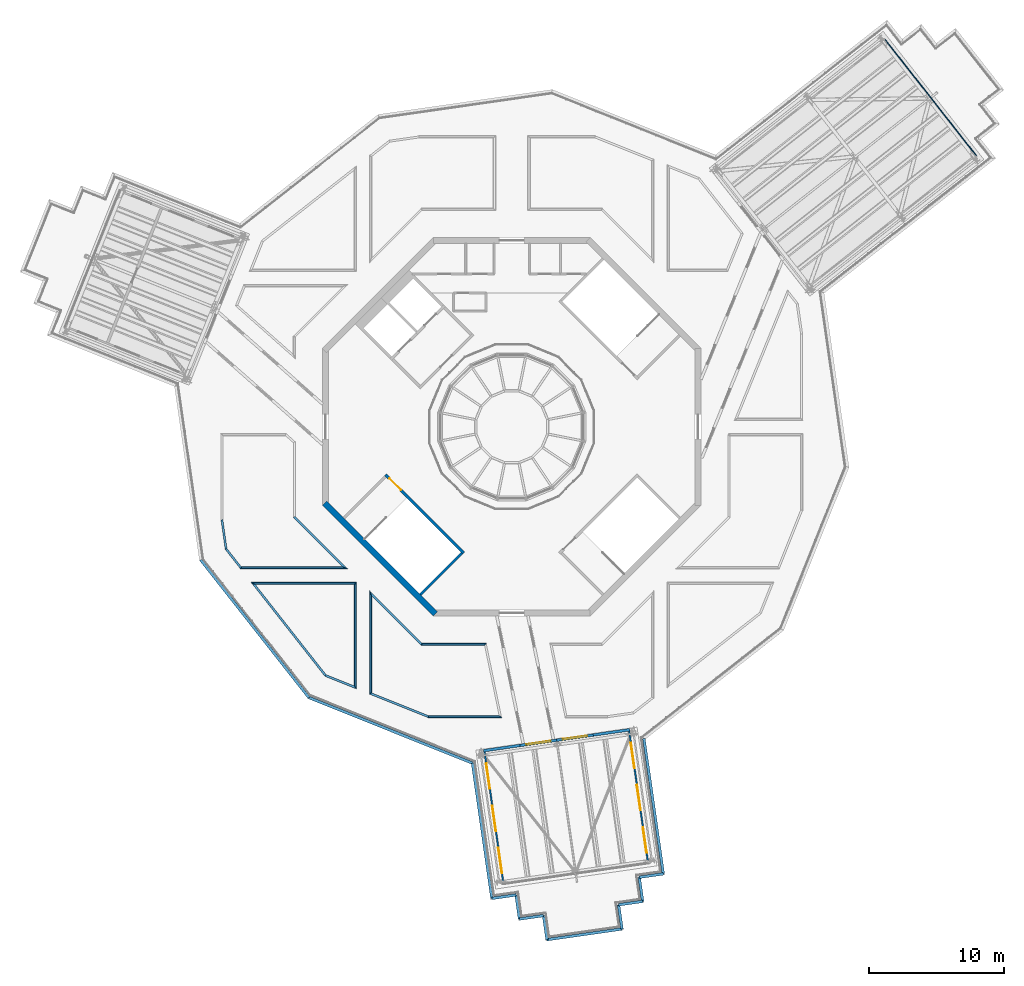
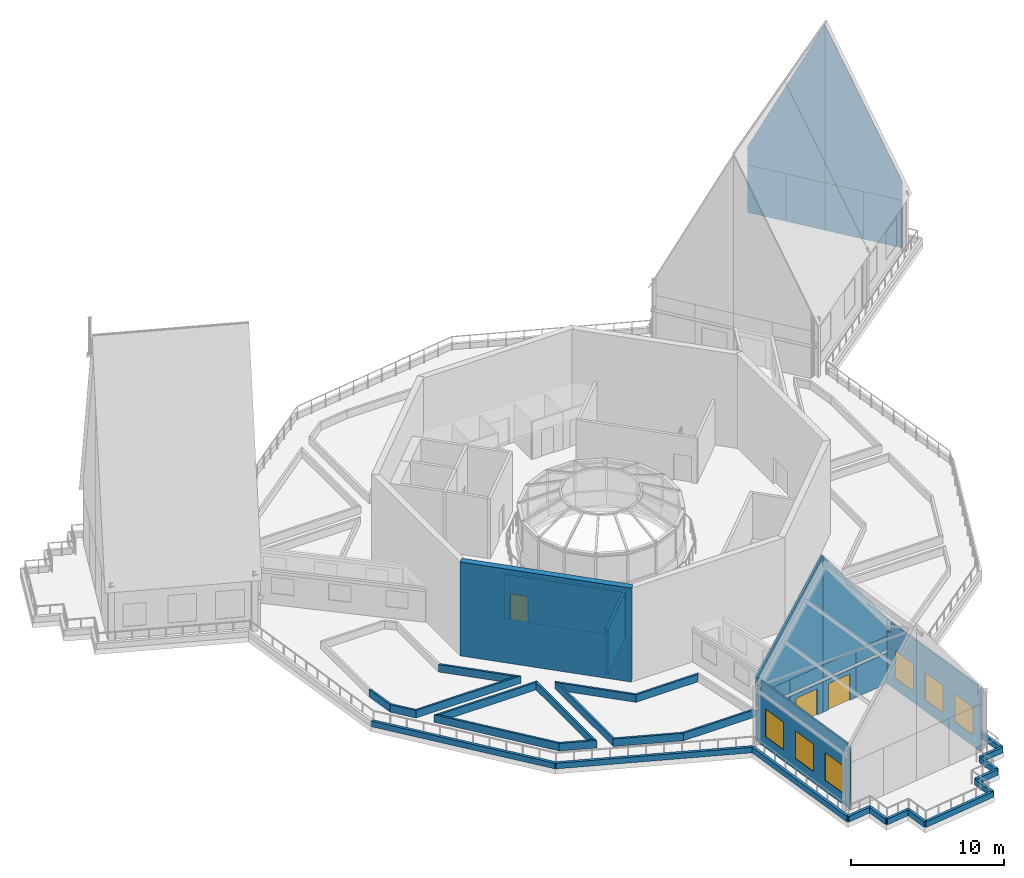
# One storey, part 12 of 32: 41 walls, 6 plates, 6 windows, 3 doors, 9 openings.
"""IFC4 building model written with IfcOpenShell, lengths in metres."""

from ifc_helpers import new_model, si_unit, direction, frame, frame_2d, origin, place, context, subcontext, project, spatial, polyline, rectangle, outline, extrude, material, layer, layer_set, type_object, element, fill, save


model = new_model("IFC4")

# Units and contexts
model_context = context("Model", 3, precision=1e-05, world=origin(), true_north=direction((0.0, 1.0)))
body_context = subcontext(model_context, "Body", "Model", "MODEL_VIEW")
ifc_project = project(units=[si_unit("LENGTHUNIT", "METRE"), si_unit("AREAUNIT", "SQUARE_METRE"), si_unit("VOLUMEUNIT", "CUBIC_METRE"), si_unit("PLANEANGLEUNIT", "RADIAN"), si_unit("MASSUNIT", "GRAM", prefix="KILO")], contexts=[model_context])

# Site, building, storey
site_placement = place(None, origin())
site = spatial("IfcSite", under=ifc_project, at=site_placement, CompositionType="ELEMENT")
building_placement = place(site_placement, origin())
building = spatial("IfcBuilding", under=site, at=building_placement, Name="Verdalira Terraces Hotel", CompositionType="ELEMENT")
storey_placement = place(building_placement, frame((0.0, 0.0, 315.0)))
storey = spatial("IfcBuildingStorey", under=building, at=storey_placement, Name="L78", CompositionType="ELEMENT", Elevation=315.0)

# Plates
ifc_material_1 = material(Name="Bronze-finished insulated panel, ASTM A653 Grade 50 steel skins", Category="steel")
ifc_layer_1 = layer(ifc_material_1, 0.06005859375)
ifc_layer_set_1 = layer_set([ifc_layer_1], Name="Bronze gable end panel 60 mm")
plate_type_1 = type_object("IfcPlateType", Name="Bronze gable end panel 60 mm", PredefinedType="SHEET", material=ifc_layer_set_1)
plate_1_placement = place(storey_placement, frame((34.343018, 20.04248, 0.0), z_axis=(0.0, 0.0, 1.0), x_axis=(-0.6178334, 0.78630903, 0.0)))
element("IfcPlate", 1, at=plate_1_placement, inside=storey, type_object=plate_type_1, Name="Bronze gable end panel G3N1", PredefinedType="SHEET", context=body_context, shape_type="SweptSolid", body=[
    extrude(rectangle(XDim=2.730225, YDim=0.060059, at=frame_2d((1.365234, 0.0))), origin(), (0.0, 0.0, 1.0), 3.800049),
])
for number, where, z_axis, x_axis, name in (
    (2, (32.65625, 22.189209, 0.0), (0.0, 0.0, 1.0), (-0.617876845, 0.786274891, 0.0), "Bronze gable end panel G3N2"),
    (3, (30.969482, 24.335693, 0.0), (0.0, 0.0, 1.0), (-0.617876845, 0.786274891, 0.0), "Bronze gable end panel G3N3"),
):
    element("IfcPlate", number, at=place(storey_placement, frame(where, z_axis=z_axis, x_axis=x_axis)), inside=storey, type_object=plate_type_1, Name=name, PredefinedType="SHEET", context=body_context, shape_type="SweptSolid", body=[
        extrude(rectangle(XDim=2.72998, YDim=0.060059, at=frame_2d((1.36499, 0.0))), origin(), (0.0, 0.0, 1.0), 3.800049),
    ])
plate_2_placement = place(storey_placement, frame((29.282715, 26.482178, 0.0), z_axis=(0.0, 0.0, 1.0), x_axis=(-0.6178334, 0.78630903, 0.0)))
element("IfcPlate", 4, at=plate_2_placement, inside=storey, type_object=plate_type_1, Name="Bronze gable end panel G3N4", PredefinedType="SHEET", context=body_context, shape_type="SweptSolid", body=[
    extrude(rectangle(XDim=2.730225, YDim=0.060059, at=frame_2d((1.365234, 0.0))), origin(), (0.0, 0.0, 1.0), 3.800049),
])
ifc_material_2 = material(Name="Bronze-finished insulated panel, ASTM A653 Grade 50 steel skins", Category="steel")
ifc_layer_2 = layer(ifc_material_2, 0.06005859375)
ifc_layer_set_2 = layer_set([ifc_layer_2], Name="Bronze gable end panel G3 upper course 60 mm")
plate_type_2 = type_object("IfcPlateType", Name="Bronze gable end panel G3 upper course 60 mm", PredefinedType="SHEET", material=ifc_layer_set_2)
for number, where, z_axis, x_axis, name in (
    (5, (34.343018, 20.04248, 3.800049), (0.0, 0.0, 1.0), (-0.617855122, 0.786291961, 0.0), "Bronze gable end panel G3N upper 1"),
    (6, (27.595947, 28.628906, 3.800049), (0.0, 0.0, 1.0), (0.617855122, -0.786291961, 0.0), "Bronze gable end panel G3N upper 2"),
):
    element("IfcPlate", number, at=place(storey_placement, frame(where, z_axis=z_axis, x_axis=x_axis)), inside=storey, type_object=plate_type_2, Name=name, PredefinedType="SHEET", context=body_context, shape_type="SweptSolid", body=[
        extrude(outline(polyline([(0.0, 0.0), (5.459961, 0.0), (5.459961, 12.626953), (0.0, 1.473389), (0.0, 0.0)])), frame((0.0, 0.030029, 0.0), z_axis=(0.0, -1.0, 0.0), x_axis=(1.0, 0.0, 0.0)), (0.0, 0.0, 1.0), 0.060059),
    ])

# Walls
ifc_material_3 = material(Name="Concrete C40", Category="concrete")
ifc_layer_3 = layer(ifc_material_3, 0.199951171875)
ifc_layer_set_3 = layer_set([ifc_layer_3], Name="Bronze clad gable end wall 200 mm")
wall_type_1 = type_object("IfcWallType", Name="Bronze clad gable end wall 200 mm", PredefinedType="SOLIDWALL", material=ifc_layer_set_3)
wall_1_placement = place(storey_placement, frame((-2.082764, -23.943115, 0.0), z_axis=(0.0, 0.0, 1.0), x_axis=(0.989877825, 0.141922135, 0.0)))
element("IfcWall", 7, at=wall_1_placement, inside=storey, type_object=wall_type_1, Name="Bronze clad gable end wall G2S1", PredefinedType="SOLIDWALL", context=body_context, shape_type="SweptSolid", body=[
    extrude(rectangle(XDim=2.72998, YDim=0.199951, at=frame_2d((1.36499, 0.0))), origin(), (0.0, 0.0, 1.0), 2.456055),
])
wall_2_placement = place(storey_placement, frame((-2.082764, -23.943115, 2.709961), z_axis=(0.0, 0.0, 1.0), x_axis=(0.989877825, 0.141922135, 0.0)))
element("IfcWall", 8, at=wall_2_placement, inside=storey, type_object=wall_type_1, Name="Bronze clad gable end wall G2S1 middle course", PredefinedType="SOLIDWALL", context=body_context, shape_type="SweptSolid", body=[
    extrude(rectangle(XDim=2.72998, YDim=0.199951, at=frame_2d((1.36499, 0.0))), origin(), (0.0, 0.0, 1.0), 1.090088),
])

# Wall, opening, door
wall_3_placement = place(storey_placement, frame((0.619629, -23.555664, 0.0), z_axis=(0.0, 0.0, 1.0), x_axis=(0.989877825, 0.141922135, 0.0)))
wall_3 = element("IfcWall", 9, at=wall_3_placement, inside=storey, type_object=wall_type_1, Name="Bronze clad gable end wall G2S2", PredefinedType="SOLIDWALL", context=body_context, shape_type="SweptSolid", body=[
    extrude(rectangle(XDim=2.72998, YDim=0.199951, at=frame_2d((1.36499, 0.0))), origin(), (0.0, 0.0, 1.0), 2.456055),
])
opening_1_placement = place(wall_3_placement, frame((0.465088, 0.0, 0.0)))
opening_1 = element("IfcOpeningElement", 10, at=opening_1_placement, cuts=wall_3, Name="Opening L78-D09", PredefinedType="OPENING", context=body_context, shape_type="SweptSolid", body=[
    extrude(rectangle(XDim=1.800049, YDim=2.100098, at=frame_2d((0.899902, 1.050049))), frame((0.0, 0.109863, 0.0), z_axis=(0.0, -1.0, 0.0), x_axis=(1.0, 0.0, 0.0)), (0.0, 0.0, 1.0), 0.219971),
])
ifc_material_4 = material(Name="Steel and glass door", Category="steel")
door_type_1 = type_object("IfcDoorType", Name="Pavilion door pair 1800 x 2100", OperationType="DOUBLE_DOOR_SINGLE_SWING", PredefinedType="DOOR", material=ifc_material_4)
door_1_placement = place(opening_1_placement, origin())
door_1 = element("IfcDoor", 11, at=door_1_placement, inside=storey, type_object=door_type_1, Name="Garden pavilion door", OperationType="DOUBLE_DOOR_SINGLE_SWING", OverallHeight=2.10009765625, OverallWidth=1.800048828125, PredefinedType="DOOR", context=body_context, shape_type="SweptSolid", body=[
    extrude(rectangle(XDim=1.800049, YDim=2.100098, at=frame_2d((0.899902, 1.050049))), frame((0.0, 0.024902, 0.0), z_axis=(0.0, -1.0, 0.0), x_axis=(1.0, 0.0, 0.0)), (0.0, 0.0, 1.0), 0.050049),
])
fill(opening_1, door_1)

# Wall
wall_4_placement = place(storey_placement, frame((0.619629, -23.555664, 2.709961), z_axis=(0.0, 0.0, 1.0), x_axis=(0.989877825, 0.141922135, 0.0)))
element("IfcWall", 12, at=wall_4_placement, inside=storey, type_object=wall_type_1, Name="Bronze clad gable end wall G2S2 middle course", PredefinedType="SOLIDWALL", context=body_context, shape_type="SweptSolid", body=[
    extrude(rectangle(XDim=2.72998, YDim=0.199951, at=frame_2d((1.36499, 0.0))), origin(), (0.0, 0.0, 1.0), 1.090088),
])

# Wall, opening, door
wall_5_placement = place(storey_placement, frame((3.322021, -23.168213, 0.0), z_axis=(0.0, 0.0, 1.0), x_axis=(0.989865258, 0.14200976, 0.0)))
wall_5 = element("IfcWall", 13, at=wall_5_placement, inside=storey, type_object=wall_type_1, Name="Bronze clad gable end wall G2S3", PredefinedType="SOLIDWALL", context=body_context, shape_type="SweptSolid", body=[
    extrude(rectangle(XDim=2.72998, YDim=0.199951, at=frame_2d((1.36499, 0.0))), origin(), (0.0, 0.0, 1.0), 2.456055),
])
opening_2_placement = place(wall_5_placement, frame((0.465088, 0.0, 0.0)))
opening_2 = element("IfcOpeningElement", 14, at=opening_2_placement, cuts=wall_5, Name="Opening L78-D10", PredefinedType="OPENING", context=body_context, shape_type="SweptSolid", body=[
    extrude(rectangle(XDim=1.800049, YDim=2.100098, at=frame_2d((0.899902, 1.050049))), frame((0.0, 0.109863, 0.0), z_axis=(0.0, -1.0, 0.0), x_axis=(1.0, 0.0, 0.0)), (0.0, 0.0, 1.0), 0.219971),
])
door_2_placement = place(opening_2_placement, origin())
door_2 = element("IfcDoor", 15, at=door_2_placement, inside=storey, type_object=door_type_1, Name="Garden pavilion door", OperationType="DOUBLE_DOOR_SINGLE_SWING", OverallHeight=2.10009765625, OverallWidth=1.800048828125, PredefinedType="DOOR", context=body_context, shape_type="SweptSolid", body=[
    extrude(rectangle(XDim=1.800049, YDim=2.100098, at=frame_2d((0.899902, 1.050049))), frame((0.0, 0.024902, 0.0), z_axis=(0.0, -1.0, 0.0), x_axis=(1.0, 0.0, 0.0)), (0.0, 0.0, 1.0), 0.050049),
])
fill(opening_2, door_2)

# Walls
wall_6_placement = place(storey_placement, frame((3.322021, -23.168213, 2.709961), z_axis=(0.0, 0.0, 1.0), x_axis=(0.989865258, 0.14200976, 0.0)))
element("IfcWall", 16, at=wall_6_placement, inside=storey, type_object=wall_type_1, Name="Bronze clad gable end wall G2S3 middle course", PredefinedType="SOLIDWALL", context=body_context, shape_type="SweptSolid", body=[
    extrude(rectangle(XDim=2.72998, YDim=0.199951, at=frame_2d((1.36499, 0.0))), origin(), (0.0, 0.0, 1.0), 1.090088),
])
wall_7_placement = place(storey_placement, frame((6.024414, -22.780518, 0.0), z_axis=(0.0, 0.0, 1.0), x_axis=(0.989877825, 0.141922135, 0.0)))
element("IfcWall", 17, at=wall_7_placement, inside=storey, type_object=wall_type_1, Name="Bronze clad gable end wall G2S4", PredefinedType="SOLIDWALL", context=body_context, shape_type="SweptSolid", body=[
    extrude(rectangle(XDim=2.72998, YDim=0.199951, at=frame_2d((1.36499, 0.0))), origin(), (0.0, 0.0, 1.0), 2.456055),
])
wall_8_placement = place(storey_placement, frame((6.024414, -22.780518, 2.709961), z_axis=(0.0, 0.0, 1.0), x_axis=(0.989877825, 0.141922135, 0.0)))
element("IfcWall", 18, at=wall_8_placement, inside=storey, type_object=wall_type_1, Name="Bronze clad gable end wall G2S4 middle course", PredefinedType="SOLIDWALL", context=body_context, shape_type="SweptSolid", body=[
    extrude(rectangle(XDim=2.72998, YDim=0.199951, at=frame_2d((1.36499, 0.0))), origin(), (0.0, 0.0, 1.0), 1.090088),
])
ifc_material_5 = material(Name="Concrete C40", Category="concrete")
ifc_layer_4 = layer(ifc_material_5, 0.199951171875)
ifc_layer_set_4 = layer_set([ifc_layer_4], Name="Bronze clad gable end wall G2 upper course 200 mm")
wall_type_2 = type_object("IfcWallType", Name="Bronze clad gable end wall G2 upper course 200 mm", PredefinedType="SOLIDWALL", material=ifc_layer_set_4)
wall_9_placement = place(storey_placement, frame((-2.082764, -23.943115, 3.800049), z_axis=(0.0, 0.0, 1.0), x_axis=(0.989877825, 0.141922135, 0.0)))
element("IfcWall", 19, at=wall_9_placement, inside=storey, type_object=wall_type_2, Name="Bronze clad gable end wall G2S upper 1", PredefinedType="SOLIDWALL", context=body_context, shape_type="SweptSolid", body=[
    extrude(outline(polyline([(0.0, 0.0), (5.459961, 0.0), (5.459961, 8.717529), (0.0, 1.32666), (0.0, 0.0)])), frame((0.0, 0.100098, 0.0), z_axis=(0.0, -1.0, 0.0), x_axis=(1.0, 0.0, 0.0)), (0.0, 0.0, 1.0), 0.199951),
])
wall_10_placement = place(storey_placement, frame((8.726807, -22.393066, 3.800049), z_axis=(0.0, 0.0, 1.0), x_axis=(-0.989871542, -0.141965948, 0.0)))
element("IfcWall", 20, at=wall_10_placement, inside=storey, type_object=wall_type_2, Name="Bronze clad gable end wall G2S upper 2", PredefinedType="SOLIDWALL", context=body_context, shape_type="SweptSolid", body=[
    extrude(outline(polyline([(0.0, 0.0), (5.460205, 0.0), (5.459961, 8.717529), (0.0, 1.32666), (0.0, 0.0)])), frame((0.0, 0.100098, 0.0), z_axis=(0.0, -1.0, 0.0), x_axis=(1.0, 0.0, 0.0)), (0.0, 0.0, 1.0), 0.199951),
])
ifc_material_6 = material(Name="Concrete C50", Category="concrete")
ifc_layer_5 = layer(ifc_material_6, 0.449951171875)
ifc_layer_set_5 = layer_set([ifc_layer_5], Name="Core wall 450 C50")
wall_type_3 = type_object("IfcWallType", Name="Core wall 450 C50", PredefinedType="SHEAR", material=ifc_layer_set_5)
wall_11_placement = place(storey_placement, frame((-13.84082, -5.639893, 0.0), z_axis=(0.0, 0.0, 1.0), x_axis=(0.707106781, -0.707106781, 0.0)))
element("IfcWall", 21, at=wall_11_placement, inside=storey, type_object=wall_type_3, Name="Core wall CW-L78-6", PredefinedType="SHEAR", context=body_context, shape_type="SweptSolid", body=[
    extrude(rectangle(XDim=11.5979, YDim=0.449951, at=frame_2d((5.798828, 0.0))), origin(), (0.0, 0.0, 1.0), 7.5),
])
ifc_material_7 = material(Name="Concrete C40", Category="concrete")
ifc_layer_6 = layer(ifc_material_7, 0.14990234375)
ifc_layer_set_6 = layer_set([ifc_layer_6], Name="Crown planter trough 150 x 600")
wall_type_4 = type_object("IfcWallType", Name="Crown planter trough 150 x 600", PredefinedType="SOLIDWALL", material=ifc_layer_set_6)
wall_12_placement = place(storey_placement, origin())
element("IfcWall", 22, at=wall_12_placement, inside=storey, type_object=wall_type_4, Name="Crown garden planter", PredefinedType="SOLIDWALL", context=body_context, shape_type="SweptSolid", body=[
    extrude(outline(polyline([(-21.5, -6.876221), (-21.186279, -9.062988), (-21.043701, -9.001953), (-21.350098, -6.865479), (-21.5, -6.876221)])), origin(), (0.0, 0.0, 1.0), 0.600098),
])
wall_13_placement = place(storey_placement, origin())
element("IfcWall", 23, at=wall_13_placement, inside=storey, type_object=wall_type_4, Name="Crown garden planter", PredefinedType="SOLIDWALL", context=body_context, shape_type="SweptSolid", body=[
    extrude(outline(polyline([(-21.186279, -9.062988), (-20.057373, -10.5), (-19.984375, -10.350098), (-21.043701, -9.001953), (-21.186279, -9.062988)])), origin(), (0.0, 0.0, 1.0), 0.600098),
])
wall_14_placement = place(storey_placement, origin())
element("IfcWall", 24, at=wall_14_placement, inside=storey, type_object=wall_type_4, Name="Crown garden planter", PredefinedType="SOLIDWALL", context=body_context, shape_type="SweptSolid", body=[
    extrude(outline(polyline([(-20.057373, -10.5), (-12.127441, -10.5), (-12.489502, -10.350098), (-19.984375, -10.350098), (-20.057373, -10.5)])), origin(), (0.0, 0.0, 1.0), 0.600098),
])
wall_15_placement = place(storey_placement, origin())
element("IfcWall", 25, at=wall_15_placement, inside=storey, type_object=wall_type_4, Name="Crown garden planter", PredefinedType="SOLIDWALL", context=body_context, shape_type="SweptSolid", body=[
    extrude(outline(polyline([(-12.127441, -10.5), (-16.0, -6.627441), (-16.149902, -6.689453), (-12.489502, -10.350098), (-12.127441, -10.5)])), origin(), (0.0, 0.0, 1.0), 0.600098),
])
wall_16_placement = place(storey_placement, origin())
element("IfcWall", 26, at=wall_16_placement, inside=storey, type_object=wall_type_4, Name="Crown garden planter", PredefinedType="SOLIDWALL", context=body_context, shape_type="SweptSolid", body=[
    extrude(outline(polyline([(-6.627441, -16.0), (-10.5, -12.127441), (-10.350098, -12.489502), (-6.689453, -16.149902), (-6.627441, -16.0)])), origin(), (0.0, 0.0, 1.0), 0.600098),
])
wall_17_placement = place(storey_placement, origin())
element("IfcWall", 27, at=wall_17_placement, inside=storey, type_object=wall_type_4, Name="Crown garden planter", PredefinedType="SOLIDWALL", context=body_context, shape_type="SweptSolid", body=[
    extrude(outline(polyline([(-10.5, -12.127441), (-10.5, -19.77124), (-10.350098, -19.669678), (-10.350098, -12.489502), (-10.5, -12.127441)])), origin(), (0.0, 0.0, 1.0), 0.600098),
])
wall_18_placement = place(storey_placement, origin())
element("IfcWall", 28, at=wall_18_placement, inside=storey, type_object=wall_type_4, Name="Crown garden planter", PredefinedType="SOLIDWALL", context=body_context, shape_type="SweptSolid", body=[
    extrude(outline(polyline([(-10.5, -19.77124), (-6.186523, -21.5), (-6.157471, -21.350098), (-10.350098, -19.669678), (-10.5, -19.77124)])), origin(), (0.0, 0.0, 1.0), 0.600098),
])
wall_19_placement = place(storey_placement, origin())
element("IfcWall", 29, at=wall_19_placement, inside=storey, type_object=wall_type_4, Name="Crown garden planter", PredefinedType="SOLIDWALL", context=body_context, shape_type="SweptSolid", body=[
    extrude(outline(polyline([(-6.186523, -21.5), (-0.748291, -21.5), (-0.932617, -21.350098), (-6.157471, -21.350098), (-6.186523, -21.5)])), origin(), (0.0, 0.0, 1.0), 0.600098),
])
wall_20_placement = place(storey_placement, origin())
element("IfcWall", 30, at=wall_20_placement, inside=storey, type_object=wall_type_4, Name="Crown garden planter", PredefinedType="SOLIDWALL", context=body_context, shape_type="SweptSolid", body=[
    extrude(outline(polyline([(-1.887939, -16.0), (-6.627441, -16.0), (-6.689453, -16.149902), (-2.01001, -16.149902), (-1.887939, -16.0)])), origin(), (0.0, 0.0, 1.0), 0.600098),
])
wall_21_placement = place(storey_placement, origin())
element("IfcWall", 31, at=wall_21_placement, inside=storey, type_object=wall_type_4, Name="Crown garden planter", PredefinedType="SOLIDWALL", context=body_context, shape_type="SweptSolid", body=[
    extrude(outline(polyline([(-13.816406, -18.441895), (-11.5, -19.370361), (-11.649902, -19.148682), (-13.723389, -18.317627), (-13.816406, -18.441895)])), origin(), (0.0, 0.0, 1.0), 0.600098),
])
wall_22_placement = place(storey_placement, origin())
element("IfcWall", 32, at=wall_22_placement, inside=storey, type_object=wall_type_4, Name="Crown garden planter", PredefinedType="SOLIDWALL", context=body_context, shape_type="SweptSolid", body=[
    extrude(outline(polyline([(-11.5, -19.370361), (-11.5, -11.5), (-11.649902, -11.649902), (-11.649902, -19.148682), (-11.5, -19.370361)])), origin(), (0.0, 0.0, 1.0), 0.600098),
])
wall_23_placement = place(storey_placement, origin())
element("IfcWall", 33, at=wall_23_placement, inside=storey, type_object=wall_type_4, Name="Crown garden planter", PredefinedType="SOLIDWALL", context=body_context, shape_type="SweptSolid", body=[
    extrude(outline(polyline([(-11.5, -11.5), (-19.271484, -11.5), (-18.962891, -11.649902), (-11.649902, -11.649902), (-11.5, -11.5)])), origin(), (0.0, 0.0, 1.0), 0.600098),
])
wall_24_placement = place(storey_placement, origin())
element("IfcWall", 34, at=wall_24_placement, inside=storey, type_object=wall_type_4, Name="Crown garden planter", PredefinedType="SOLIDWALL", context=body_context, shape_type="SweptSolid", body=[
    extrude(outline(polyline([(-19.271484, -11.5), (-13.816406, -18.441895), (-13.723389, -18.317627), (-18.962891, -11.649902), (-19.271484, -11.5)])), origin(), (0.0, 0.0, 1.0), 0.600098),
])
ifc_material_8 = material(Name="Concrete C40", Category="concrete")
ifc_layer_7 = layer(ifc_material_8, 0.199951171875)
ifc_layer_set_7 = layer_set([ifc_layer_7], Name="Crown upstand 200 x 450")
wall_type_5 = type_object("IfcWallType", Name="Crown upstand 200 x 450", PredefinedType="SOLIDWALL", material=ifc_layer_set_7)
wall_25_placement = place(storey_placement, frame((-22.994873, -9.83667, 0.0), z_axis=(0.0, 0.0, 1.0), x_axis=(0.617854865, -0.786292163, 0.0)))
element("IfcWall", 35, at=wall_25_placement, inside=storey, type_object=wall_type_5, Name="Crown upstand", PredefinedType="SOLIDWALL", context=body_context, shape_type="SweptSolid", body=[
    extrude(rectangle(XDim=12.946533, YDim=0.199951, at=frame_2d((6.473145, 0.0))), origin(), (0.0, 0.0, 1.0), 0.449951),
])
wall_26_placement = place(storey_placement, frame((-14.99585, -20.016357, 0.0), z_axis=(0.0, 0.0, 1.0), x_axis=(0.928228401, -0.372010801, 0.0)))
element("IfcWall", 36, at=wall_26_placement, inside=storey, type_object=wall_type_5, Name="Crown upstand", PredefinedType="SOLIDWALL", context=body_context, shape_type="SweptSolid", body=[
    extrude(rectangle(XDim=13.031006, YDim=0.199951, at=frame_2d((6.515625, 0.0))), origin(), (0.0, 0.0, 1.0), 0.449951),
])
wall_27_placement = place(storey_placement, frame((-2.900146, -24.864014, 0.0), z_axis=(0.0, 0.0, 1.0), x_axis=(0.141925608, -0.989877327, 0.0)))
element("IfcWall", 37, at=wall_27_placement, inside=storey, type_object=wall_type_5, Name="Crown upstand", PredefinedType="SOLIDWALL", context=body_context, shape_type="SweptSolid", body=[
    extrude(rectangle(XDim=10.099365, YDim=0.199951, at=frame_2d((5.049805, 0.0))), origin(), (0.0, 0.0, 1.0), 0.449951),
])
for number, where, z_axis, x_axis, name in (
    (38, (-1.466797, -34.861084, 0.0), (0.0, 0.0, 1.0), (0.989884283, 0.141877084, 0.0), "Crown upstand"),
    (39, (0.314941, -34.605713, 0.0), (0.0, 0.0, 1.0), (0.142009988, -0.989865225, 0.0), "Crown upstand"),
    (40, (0.570557, -36.387451, 0.0), (0.0, 0.0, 1.0), (0.989865225, 0.142009988, 0.0), "Crown upstand"),
):
    element("IfcWall", number, at=place(storey_placement, frame(where, z_axis=z_axis, x_axis=x_axis)), inside=storey, type_object=wall_type_5, Name=name, PredefinedType="SOLIDWALL", context=body_context, shape_type="SweptSolid", body=[
        extrude(rectangle(XDim=1.800049, YDim=0.199951, at=frame_2d((0.899902, 0.0))), origin(), (0.0, 0.0, 1.0), 0.449951),
    ])
wall_28_placement = place(storey_placement, frame((2.352295, -36.131836, 0.0), z_axis=(0.0, 0.0, 1.0), x_axis=(0.141990924, -0.98986796, 0.0)))
element("IfcWall", 41, at=wall_28_placement, inside=storey, type_object=wall_type_5, Name="Crown upstand", PredefinedType="SOLIDWALL", context=body_context, shape_type="SweptSolid", body=[
    extrude(rectangle(XDim=1.800293, YDim=0.199951, at=frame_2d((0.900146, 0.0))), origin(), (0.0, 0.0, 1.0), 0.449951),
])
wall_29_placement = place(storey_placement, frame((2.60791, -37.913818, 0.0), z_axis=(0.0, 0.0, 1.0), x_axis=(0.989873492, 0.141952349, 0.0)))
element("IfcWall", 42, at=wall_29_placement, inside=storey, type_object=wall_type_5, Name="Crown upstand", PredefinedType="SOLIDWALL", context=body_context, shape_type="SweptSolid", body=[
    extrude(rectangle(XDim=5.599854, YDim=0.199951, at=frame_2d((2.799805, 0.0))), origin(), (0.0, 0.0, 1.0), 0.449951),
])
wall_30_placement = place(storey_placement, frame((8.151123, -37.118896, 0.0), z_axis=(0.0, 0.0, 1.0), x_axis=(-0.142009988, 0.989865225, 0.0)))
element("IfcWall", 43, at=wall_30_placement, inside=storey, type_object=wall_type_5, Name="Crown upstand", PredefinedType="SOLIDWALL", context=body_context, shape_type="SweptSolid", body=[
    extrude(rectangle(XDim=1.800049, YDim=0.199951, at=frame_2d((0.899902, 0.0))), origin(), (0.0, 0.0, 1.0), 0.449951),
])
wall_31_placement = place(storey_placement, frame((7.895508, -35.337158, 0.0), z_axis=(0.0, 0.0, 1.0), x_axis=(0.98986796, 0.141990924, 0.0)))
element("IfcWall", 44, at=wall_31_placement, inside=storey, type_object=wall_type_5, Name="Crown upstand", PredefinedType="SOLIDWALL", context=body_context, shape_type="SweptSolid", body=[
    extrude(rectangle(XDim=1.800293, YDim=0.199951, at=frame_2d((0.900146, 0.0))), origin(), (0.0, 0.0, 1.0), 0.449951),
])
for number, where, z_axis, x_axis, name in (
    (45, (9.67749, -35.081543, 0.0), (0.0, 0.0, 1.0), (-0.142009988, 0.989865225, 0.0), "Crown upstand"),
    (46, (9.421875, -33.299805, 0.0), (0.0, 0.0, 1.0), (0.989865225, 0.142009988, 0.0), "Crown upstand"),
):
    element("IfcWall", number, at=place(storey_placement, frame(where, z_axis=z_axis, x_axis=x_axis)), inside=storey, type_object=wall_type_5, Name=name, PredefinedType="SOLIDWALL", context=body_context, shape_type="SweptSolid", body=[
        extrude(rectangle(XDim=1.800049, YDim=0.199951, at=frame_2d((0.899902, 0.0))), origin(), (0.0, 0.0, 1.0), 0.449951),
    ])
wall_32_placement = place(storey_placement, frame((11.203613, -33.044189, 0.0), z_axis=(0.0, 0.0, 1.0), x_axis=(-0.141925608, 0.989877327, 0.0)))
element("IfcWall", 47, at=wall_32_placement, inside=storey, type_object=wall_type_5, Name="Crown upstand", PredefinedType="SOLIDWALL", context=body_context, shape_type="SweptSolid", body=[
    extrude(rectangle(XDim=10.099365, YDim=0.199951, at=frame_2d((5.049805, 0.0))), origin(), (0.0, 0.0, 1.0), 0.449951),
])

# Wall, openings, windows
ifc_material_9 = material(Name="Concrete C40", Category="concrete")
ifc_layer_8 = layer(ifc_material_9, 0.1201171875)
ifc_layer_set_8 = layer_set([ifc_layer_8], Name="Pavilion side wall G2 120 mm")
wall_type_6 = type_object("IfcWallType", Name="Pavilion side wall G2 120 mm", PredefinedType="SOLIDWALL", material=ifc_layer_set_8)
wall_33_placement = place(storey_placement, frame((8.681641, -22.500488, 0.0), z_axis=(0.0, 0.0, 1.0), x_axis=(0.141942912, -0.989874846, 0.0)))
wall_33 = element("IfcWall", 48, at=wall_33_placement, inside=storey, type_object=wall_type_6, Name="Garden pavilion side wall G2a", PredefinedType="SOLIDWALL", context=body_context, shape_type="SweptSolid", body=[
    extrude(outline(polyline([(0.0, 0.0), (9.829834, 0.0), (9.835938, 5.126709), (9.834961, 4.229004), (9.82959, 5.126709), (9.555908, 4.229004), (9.554932, 5.126709), (0.375244, 5.126709), (0.374268, 4.229004), (0.095215, 4.229004), (0.093994, 5.126709), (0.0, 5.126709), (0.0, 0.0)])), frame((0.0, 0.060059, 0.0), z_axis=(0.0, -1.0, 0.0), x_axis=(1.0, 0.0, 0.0)), (0.0, 0.0, 1.0), 0.120117),
])
opening_3_placement = place(wall_33_placement, frame((0.86084, 0.0, 0.899902)))
opening_3 = element("IfcOpeningElement", 49, at=opening_3_placement, cuts=wall_33, Name="Opening WGW", PredefinedType="OPENING", context=body_context, shape_type="SweptSolid", body=[
    extrude(rectangle(XDim=1.899902, YDim=2.199951, at=frame_2d((0.949951, 1.100098))), frame((0.0, 0.070068, 0.0), z_axis=(0.0, -1.0, 0.0), x_axis=(1.0, 0.0, 0.0)), (0.0, 0.0, 1.0), 0.140137),
])
opening_4_placement = place(wall_33_placement, frame((4.014404, 0.0, 0.899902)))
opening_4 = element("IfcOpeningElement", 50, at=opening_4_placement, cuts=wall_33, Name="Opening WGW", PredefinedType="OPENING", context=body_context, shape_type="SweptSolid", body=[
    extrude(rectangle(XDim=1.899902, YDim=2.199951, at=frame_2d((0.949951, 1.100098))), frame((0.0, 0.070068, 0.0), z_axis=(0.0, -1.0, 0.0), x_axis=(1.0, 0.0, 0.0)), (0.0, 0.0, 1.0), 0.140137),
])
opening_5_placement = place(wall_33_placement, frame((7.168213, 0.0, 0.899902)))
opening_5 = element("IfcOpeningElement", 51, at=opening_5_placement, cuts=wall_33, Name="Opening WGW", PredefinedType="OPENING", context=body_context, shape_type="SweptSolid", body=[
    extrude(rectangle(XDim=1.899902, YDim=2.199951, at=frame_2d((0.949951, 1.100098))), frame((0.0, 0.070068, 0.0), z_axis=(0.0, -1.0, 0.0), x_axis=(1.0, 0.0, 0.0)), (0.0, 0.0, 1.0), 0.140137),
])
ifc_material_10 = material(Name="Clear laminated glass", Category="glass")
window_type = type_object("IfcWindowType", Name="Pavilion window 1900 x 2200", PartitioningType="DOUBLE_PANEL_HORIZONTAL", PredefinedType="WINDOW", material=ifc_material_10)
window_1_placement = place(opening_3_placement, origin())
window_1 = element("IfcWindow", 52, at=window_1_placement, inside=storey, type_object=window_type, Name="Garden pavilion window", OverallHeight=2.199951171875, OverallWidth=1.89990234375, PartitioningType="DOUBLE_PANEL_HORIZONTAL", PredefinedType="WINDOW", context=body_context, shape_type="SweptSolid", body=[
    extrude(rectangle(XDim=1.899902, YDim=2.199951, at=frame_2d((0.949951, 1.100098))), frame((0.0, 0.030029, 0.0), z_axis=(0.0, -1.0, 0.0), x_axis=(1.0, 0.0, 0.0)), (0.0, 0.0, 1.0), 0.060059),
])
fill(opening_3, window_1)
window_2_placement = place(opening_4_placement, origin())
window_2 = element("IfcWindow", 53, at=window_2_placement, inside=storey, type_object=window_type, Name="Garden pavilion window", OverallHeight=2.199951171875, OverallWidth=1.89990234375, PartitioningType="DOUBLE_PANEL_HORIZONTAL", PredefinedType="WINDOW", context=body_context, shape_type="SweptSolid", body=[
    extrude(rectangle(XDim=1.899902, YDim=2.199951, at=frame_2d((0.949951, 1.100098))), frame((0.0, 0.030029, 0.0), z_axis=(0.0, -1.0, 0.0), x_axis=(1.0, 0.0, 0.0)), (0.0, 0.0, 1.0), 0.060059),
])
fill(opening_4, window_2)
window_3_placement = place(opening_5_placement, origin())
window_3 = element("IfcWindow", 54, at=window_3_placement, inside=storey, type_object=window_type, Name="Garden pavilion window", OverallHeight=2.199951171875, OverallWidth=1.89990234375, PartitioningType="DOUBLE_PANEL_HORIZONTAL", PredefinedType="WINDOW", context=body_context, shape_type="SweptSolid", body=[
    extrude(rectangle(XDim=1.899902, YDim=2.199951, at=frame_2d((0.949951, 1.100098))), frame((0.0, 0.030029, 0.0), z_axis=(0.0, -1.0, 0.0), x_axis=(1.0, 0.0, 0.0)), (0.0, 0.0, 1.0), 0.060059),
])
fill(opening_5, window_3)

wall_34_placement = place(storey_placement, frame((-2.009033, -24.033691, 0.0), z_axis=(0.0, 0.0, 1.0), x_axis=(0.141922064, -0.989877835, 0.0)))
wall_34 = element("IfcWall", 55, at=wall_34_placement, inside=storey, type_object=wall_type_6, Name="Garden pavilion side wall G2b", PredefinedType="SOLIDWALL", context=body_context, shape_type="SweptSolid", body=[
    extrude(outline(polyline([(0.0, 0.0), (9.82959, 0.0), (9.835938, 5.126709), (9.834961, 4.229004), (9.82959, 5.126709), (9.555908, 4.229004), (9.554932, 5.126709), (0.375244, 5.126709), (0.374268, 4.229004), (0.095215, 4.229004), (0.093994, 5.126709), (0.0, 5.126709), (0.0, 0.0)])), frame((0.0, 0.060059, 0.0), z_axis=(0.0, -1.0, 0.0), x_axis=(1.0, 0.0, 0.0)), (0.0, 0.0, 1.0), 0.120117),
])
opening_6_placement = place(wall_34_placement, frame((0.86084, 0.0, 0.899902)))
opening_6 = element("IfcOpeningElement", 56, at=opening_6_placement, cuts=wall_34, Name="Opening WGW", PredefinedType="OPENING", context=body_context, shape_type="SweptSolid", body=[
    extrude(rectangle(XDim=1.899902, YDim=2.199951, at=frame_2d((0.949951, 1.100098))), frame((0.0, 0.070068, 0.0), z_axis=(0.0, -1.0, 0.0), x_axis=(1.0, 0.0, 0.0)), (0.0, 0.0, 1.0), 0.140137),
])
opening_7_placement = place(wall_34_placement, frame((4.014404, 0.0, 0.899902)))
opening_7 = element("IfcOpeningElement", 57, at=opening_7_placement, cuts=wall_34, Name="Opening WGW", PredefinedType="OPENING", context=body_context, shape_type="SweptSolid", body=[
    extrude(rectangle(XDim=1.899902, YDim=2.199951, at=frame_2d((0.949951, 1.100098))), frame((0.0, 0.070068, 0.0), z_axis=(0.0, -1.0, 0.0), x_axis=(1.0, 0.0, 0.0)), (0.0, 0.0, 1.0), 0.140137),
])
opening_8_placement = place(wall_34_placement, frame((7.168213, 0.0, 0.899902)))
opening_8 = element("IfcOpeningElement", 58, at=opening_8_placement, cuts=wall_34, Name="Opening WGW", PredefinedType="OPENING", context=body_context, shape_type="SweptSolid", body=[
    extrude(rectangle(XDim=1.899902, YDim=2.199951, at=frame_2d((0.949951, 1.100098))), frame((0.0, 0.070068, 0.0), z_axis=(0.0, -1.0, 0.0), x_axis=(1.0, 0.0, 0.0)), (0.0, 0.0, 1.0), 0.140137),
])
window_4_placement = place(opening_6_placement, origin())
window_4 = element("IfcWindow", 59, at=window_4_placement, inside=storey, type_object=window_type, Name="Garden pavilion window", OverallHeight=2.199951171875, OverallWidth=1.89990234375, PartitioningType="DOUBLE_PANEL_HORIZONTAL", PredefinedType="WINDOW", context=body_context, shape_type="SweptSolid", body=[
    extrude(rectangle(XDim=1.899902, YDim=2.199951, at=frame_2d((0.949951, 1.100098))), frame((0.0, 0.030029, 0.0), z_axis=(0.0, -1.0, 0.0), x_axis=(1.0, 0.0, 0.0)), (0.0, 0.0, 1.0), 0.060059),
])
fill(opening_6, window_4)
window_5_placement = place(opening_7_placement, origin())
window_5 = element("IfcWindow", 60, at=window_5_placement, inside=storey, type_object=window_type, Name="Garden pavilion window", OverallHeight=2.199951171875, OverallWidth=1.89990234375, PartitioningType="DOUBLE_PANEL_HORIZONTAL", PredefinedType="WINDOW", context=body_context, shape_type="SweptSolid", body=[
    extrude(rectangle(XDim=1.899902, YDim=2.199951, at=frame_2d((0.949951, 1.100098))), frame((0.0, 0.030029, 0.0), z_axis=(0.0, -1.0, 0.0), x_axis=(1.0, 0.0, 0.0)), (0.0, 0.0, 1.0), 0.060059),
])
fill(opening_7, window_5)
window_6_placement = place(opening_8_placement, origin())
window_6 = element("IfcWindow", 61, at=window_6_placement, inside=storey, type_object=window_type, Name="Garden pavilion window", OverallHeight=2.199951171875, OverallWidth=1.89990234375, PartitioningType="DOUBLE_PANEL_HORIZONTAL", PredefinedType="WINDOW", context=body_context, shape_type="SweptSolid", body=[
    extrude(rectangle(XDim=1.899902, YDim=2.199951, at=frame_2d((0.949951, 1.100098))), frame((0.0, 0.030029, 0.0), z_axis=(0.0, -1.0, 0.0), x_axis=(1.0, 0.0, 0.0)), (0.0, 0.0, 1.0), 0.060059),
])
fill(opening_8, window_6)

# Wall, opening, door
ifc_material_11 = material(Name="Concrete C50", Category="concrete")
ifc_layer_9 = layer(ifc_material_11, 0.199951171875)
ifc_layer_set_9 = layer_set([ifc_layer_9], Name="Stair head-house wall 200 C50")
wall_type_7 = type_object("IfcWallType", Name="Stair head-house wall 200 C50", PredefinedType="SOLIDWALL", material=ifc_layer_set_9)
wall_35_placement = place(storey_placement, frame((-3.5354, -9.33374, 0.0), z_axis=(0.0, 0.0, 1.0), x_axis=(-0.707106781, 0.707106781, 0.0)))
wall_35 = element("IfcWall", 62, at=wall_35_placement, inside=storey, type_object=wall_type_7, Name="L78 stair ST2 front wall", PredefinedType="SOLIDWALL", context=body_context, shape_type="SweptSolid", body=[
    extrude(rectangle(XDim=8.200195, YDim=0.199951, at=frame_2d((4.100098, 0.0))), origin(), (0.0, 0.0, 1.0), 3.600098),
])
opening_9_placement = place(wall_35_placement, frame((6.600098, 0.0, 0.0)))
opening_9 = element("IfcOpeningElement", 63, at=opening_9_placement, cuts=wall_35, Name="Opening L78-804", PredefinedType="OPENING", context=body_context, shape_type="SweptSolid", body=[
    extrude(rectangle(XDim=1.199951, YDim=2.100098, at=frame_2d((0.600098, 1.050049))), frame((0.0, 0.109863, 0.0), z_axis=(0.0, -1.0, 0.0), x_axis=(1.0, 0.0, 0.0)), (0.0, 0.0, 1.0), 0.219971),
])
ifc_material_12 = material(Name="Steel fire door", Category="steel")
door_type_2 = type_object("IfcDoorType", Name="Stair door 1200 x 2100", OperationType="NOTDEFINED", PredefinedType="DOOR", material=ifc_material_12)
door_3_placement = place(opening_9_placement, origin())
door_3 = element("IfcDoor", 64, at=door_3_placement, inside=storey, type_object=door_type_2, Name="Stair door ST2 L78", OperationType="SINGLE_SWING_RIGHT", OverallHeight=2.10009765625, OverallWidth=1.199951171875, PredefinedType="DOOR", context=body_context, shape_type="SweptSolid", body=[
    extrude(rectangle(XDim=1.199951, YDim=2.100098, at=frame_2d((0.600098, 1.050049))), frame((0.0, 0.024902, 0.0), z_axis=(0.0, -1.0, 0.0), x_axis=(1.0, 0.0, 0.0)), (0.0, 0.0, 1.0), 0.050049),
])
fill(opening_9, door_3)

# Wall
wall_36_placement = place(storey_placement, frame((-3.677002, -9.33374, 0.0), z_axis=(0.0, 0.0, 1.0), x_axis=(-0.707106781, -0.707106781, 0.0)))
element("IfcWall", 65, at=wall_36_placement, inside=storey, type_object=wall_type_7, Name="L78 stair ST2 end wall 2", PredefinedType="SOLIDWALL", context=body_context, shape_type="SweptSolid", body=[
    extrude(rectangle(XDim=4.350098, YDim=0.199951, at=frame_2d((2.175049, 0.0))), origin(), (0.0, 0.0, 1.0), 3.600098),
])

save(model, "model.ifc")
